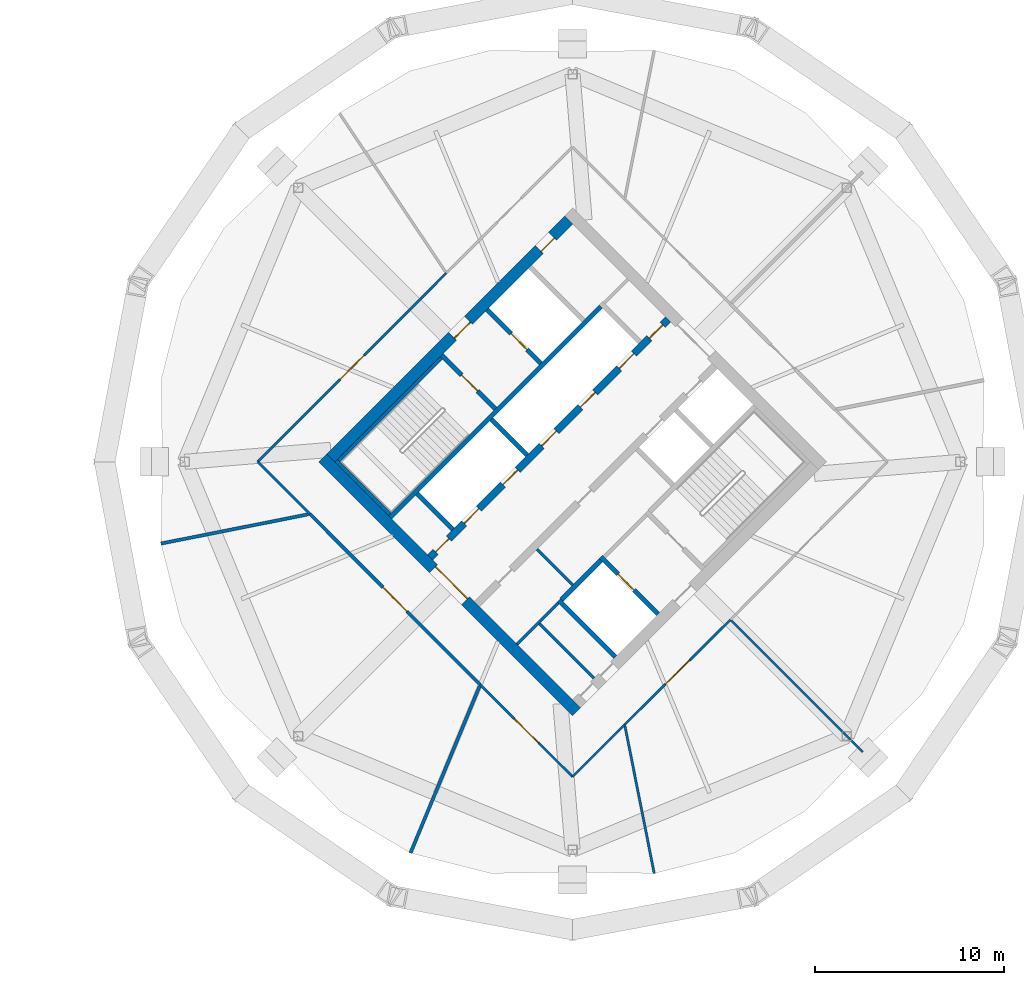
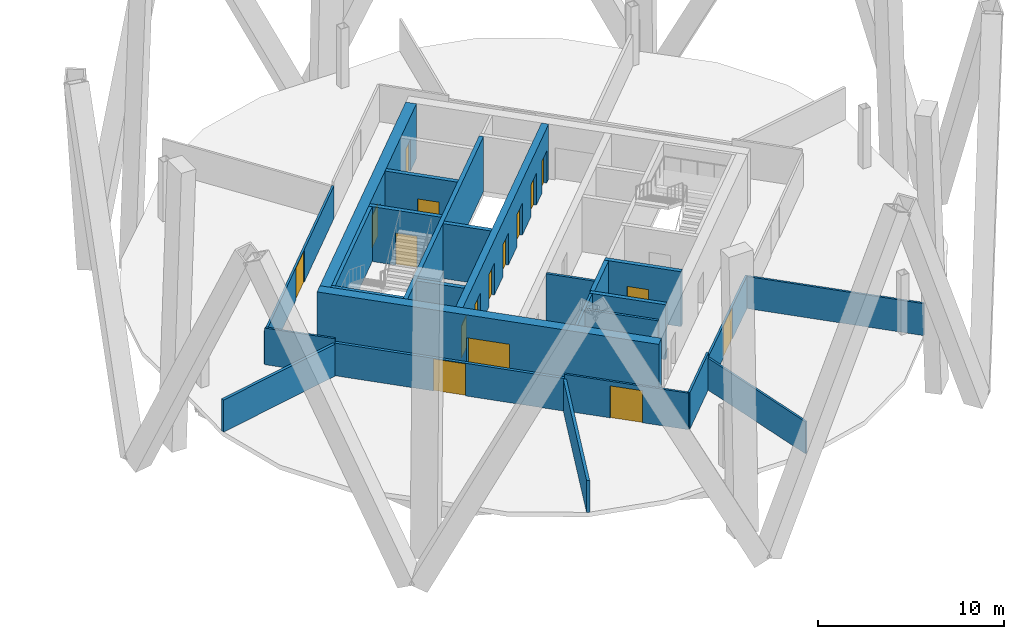
# One storey, part 6 of 10: 26 walls, 17 doors, 17 openings.
"""IFC4 building model written with IfcOpenShell, lengths in metres."""

from ifc_helpers import new_model, si_unit, direction, frame, frame_2d, origin, place, context, subcontext, project, spatial, rectangle, extrude, material, layer, layer_set, type_object, element, fill, save


model = new_model("IFC4")

# Units and contexts
model_context = context("Model", 3, precision=1e-05, world=origin(), true_north=direction((0.0, 1.0)))
body_context = subcontext(model_context, "Body", "Model", "MODEL_VIEW")
ifc_project = project(units=[si_unit("LENGTHUNIT", "METRE"), si_unit("AREAUNIT", "SQUARE_METRE"), si_unit("VOLUMEUNIT", "CUBIC_METRE"), si_unit("PLANEANGLEUNIT", "RADIAN"), si_unit("MASSUNIT", "GRAM", prefix="KILO")], contexts=[model_context])

# Site, building, storey
site_placement = place(None, origin())
site = spatial("IfcSite", under=ifc_project, at=site_placement, CompositionType="ELEMENT")
building_placement = place(site_placement, origin())
building = spatial("IfcBuilding", under=site, at=building_placement, Name="Ogive Gate Towers", CompositionType="ELEMENT")
storey_placement = place(building_placement, frame((0.0, 0.0, 185.10009765625)))
storey = spatial("IfcBuildingStorey", under=building, at=storey_placement, Name="L44", CompositionType="ELEMENT", Elevation=185.10009765625)

# Walls
ifc_material_1 = material(Name="Gypsum board acoustic partition")
ifc_layer_1 = layer(ifc_material_1, 0.175048828125)
ifc_layer_set_1 = layer_set([ifc_layer_1], Name="Acoustic partition 175")
wall_type_1 = type_object("IfcWallType", Name="Acoustic partition 175", PredefinedType="PARTITIONING", material=ifc_layer_set_1)
wall_1_placement = place(storey_placement, frame((14.215576171875, -4.324951171875, 0.0), z_axis=(0.0, 0.0, 1.0), x_axis=(0.980858380129, 0.19472246437, 0.0)))
element("IfcWall", 1, at=wall_1_placement, inside=storey, type_object=wall_type_1, Name="Partition T2-L44-005", PredefinedType="PARTITIONING", context=body_context, shape_type="SweptSolid", body=[
    extrude(rectangle(XDim=7.951416015625, YDim=0.175048828125, at=frame_2d((3.9755859375, 0.0))), origin(), (0.0, 0.0, 1.0), 2.099853515625),
])
wall_2_placement = place(storey_placement, frame((27.424072265625, -20.7041015625, 0.0), z_axis=(0.0, 0.0, 1.0), x_axis=(0.38267612342, 0.923882559942, 0.0)))
element("IfcWall", 2, at=wall_2_placement, inside=storey, type_object=wall_type_1, Name="Partition T2-L44-006", PredefinedType="PARTITIONING", context=body_context, shape_type="SweptSolid", body=[
    extrude(rectangle(XDim=9.55126953125, YDim=0.175048828125, at=frame_2d((4.775634765625, 0.0))), origin(), (0.0, 0.0, 1.0), 2.099853515625),
])

# Wall, opening, door
wall_3_placement = place(storey_placement, frame((22.1005859375, -2.759521484375, 0.0), z_axis=(0.0, 0.0, 1.0), x_axis=(0.706044450355, -0.708167518405, 0.0)))
wall_3 = element("IfcWall", 3, at=wall_3_placement, inside=storey, type_object=wall_type_1, Name="Partition T2-L44-014", PredefinedType="PARTITIONING", context=body_context, shape_type="SweptSolid", body=[
    extrude(rectangle(XDim=12.764404296875, YDim=0.175048828125, at=frame_2d((6.38232421875, 0.0))), origin(), (0.0, 0.0, 1.0), 2.139892578125),
])
opening_1_placement = place(wall_3_placement, frame((5.48193359375, 0.0, 0.0)))
opening_1 = element("IfcOpeningElement", 4, at=opening_1_placement, cuts=wall_3, Name="Opening T2-L44-D04", PredefinedType="OPENING", context=body_context, shape_type="SweptSolid", body=[
    extrude(rectangle(XDim=1.800048828125, YDim=2.10009765625, at=frame_2d((0.89990234375, 1.050048828125))), frame((0.0, 0.09765625, 0.0), z_axis=(0.0, -1.0, 0.0), x_axis=(1.0, 0.0, 0.0)), (0.0, 0.0, 1.0), 0.195068359375),
])
ifc_material_2 = material(Name="Timber door", Category="wood")
door_type_1 = type_object("IfcDoorType", Name="Door pair 1800", OperationType="NOTDEFINED", PredefinedType="DOOR", material=ifc_material_2)
door_1_placement = place(opening_1_placement, origin())
door_1 = element("IfcDoor", 5, at=door_1_placement, inside=storey, type_object=door_type_1, Name="Door T2-L44-D04", OperationType="DOUBLE_DOOR_DOUBLE_SWING", OverallHeight=2.10009765625, OverallWidth=1.800048828125, PredefinedType="DOOR", context=body_context, shape_type="SweptSolid", body=[
    extrude(rectangle(XDim=1.800048828125, YDim=2.10009765625, at=frame_2d((0.89990234375, 1.050048828125))), frame((0.0, 0.02490234375, 0.0), z_axis=(0.0, -1.0, 0.0), x_axis=(1.0, 0.0, 0.0)), (0.0, 0.0, 1.0), 0.050048828125),
])
fill(opening_1, door_1)

# Wall, openings, doors
ifc_material_3 = material(Name="Concrete C60/75", Category="concrete")
ifc_layer_2 = layer(ifc_material_3, 0.60009765625)
ifc_layer_set_2 = layer_set([ifc_layer_2], Name="Core wall 600 mm")
wall_type_2 = type_object("IfcWallType", Name="Core wall 600 mm", PredefinedType="SHEAR", material=ifc_layer_set_2)
wall_4_placement = place(storey_placement, frame((23.201416015625, 0.212158203125, 0.0), z_axis=(0.0, 0.0, 1.0), x_axis=(0.707106781187, 0.707106781187, 0.0)))
wall_4 = element("IfcWall", 6, at=wall_4_placement, inside=storey, type_object=wall_type_2, Name="T2 L44 Core wall 600 mm", PredefinedType="SHEAR", context=body_context, shape_type="SweptSolid", body=[
    extrude(rectangle(XDim=17.7998046875, YDim=0.60009765625, at=frame_2d((8.89990234375, 0.0))), origin(), (0.0, 0.0, 1.0), 3.599853515625),
])
opening_2_placement = place(wall_4_placement, frame((9.10009765625, 0.0, 0.0)))
opening_2 = element("IfcOpeningElement", 7, at=opening_2_placement, cuts=wall_4, Name="Opening KD-T2-L44-18", PredefinedType="OPENING", context=body_context, shape_type="SweptSolid", body=[
    extrude(rectangle(XDim=1.199951171875, YDim=2.10009765625, at=frame_2d((0.60009765625, 1.050048828125))), frame((0.0, 0.31005859375, 0.0), z_axis=(0.0, -1.0, 0.0), x_axis=(1.0, 0.0, 0.0)), (0.0, 0.0, 1.0), 0.6201171875),
])
opening_3_placement = place(wall_4_placement, frame((15.60009765625, 0.0, 0.0)))
opening_3 = element("IfcOpeningElement", 8, at=opening_3_placement, cuts=wall_4, Name="Opening KD-T2-L44-20", PredefinedType="OPENING", context=body_context, shape_type="SweptSolid", body=[
    extrude(rectangle(XDim=1.0, YDim=2.10009765625, at=frame_2d((0.5, 1.050048828125))), frame((0.0, 0.31005859375, 0.0), z_axis=(0.0, -1.0, 0.0), x_axis=(1.0, 0.0, 0.0)), (0.0, 0.0, 1.0), 0.6201171875),
])
door_type_2 = type_object("IfcDoorType", Name="Accessible WC door 1000 x 2100", OperationType="NOTDEFINED", PredefinedType="DOOR", material=ifc_material_2)
door_2_placement = place(opening_3_placement, origin())
door_2 = element("IfcDoor", 9, at=door_2_placement, inside=storey, type_object=door_type_2, Name="T2 L44 Core door", OperationType="SINGLE_SWING_LEFT", OverallHeight=2.10009765625, OverallWidth=1.0, PredefinedType="DOOR", context=body_context, shape_type="SweptSolid", body=[
    extrude(rectangle(XDim=1.0, YDim=2.10009765625, at=frame_2d((0.5, 1.050048828125))), frame((0.0, -0.125, 0.0), z_axis=(0.0, -1.0, 0.0), x_axis=(1.0, 0.0, 0.0)), (0.0, 0.0, 1.0), 0.050048828125),
])
fill(opening_3, door_2)
ifc_material_4 = material(Name="Steel fire door", Category="steel")
door_type_3 = type_object("IfcDoorType", Name="Core door FD60S 1200 x 2100", OperationType="NOTDEFINED", PredefinedType="DOOR", material=ifc_material_4)
door_3_placement = place(opening_2_placement, origin())
door_3 = element("IfcDoor", 10, at=door_3_placement, inside=storey, type_object=door_type_3, Name="T2 L44 Fire-fighting lobby door", OperationType="SINGLE_SWING_LEFT", OverallHeight=2.10009765625, OverallWidth=1.199951171875, PredefinedType="DOOR", context=body_context, shape_type="SweptSolid", body=[
    extrude(rectangle(XDim=1.199951171875, YDim=2.10009765625, at=frame_2d((0.60009765625, 1.050048828125))), frame((0.0, -0.125, 0.0), z_axis=(0.0, -1.0, 0.0), x_axis=(1.0, 0.0, 0.0)), (0.0, 0.0, 1.0), 0.050048828125),
])
fill(opening_2, door_3)

# Wall, opening, door
wall_5_placement = place(storey_placement, frame((36.212158203125, -13.222900390625, 0.0), z_axis=(0.0, 0.0, 1.0), x_axis=(-0.707106781187, 0.707106781187, 0.0)))
wall_5 = element("IfcWall", 11, at=wall_5_placement, inside=storey, type_object=wall_type_2, Name="T2 L44 Core wall 600 mm", PredefinedType="SHEAR", context=body_context, shape_type="SweptSolid", body=[
    extrude(rectangle(XDim=19.0, YDim=0.60009765625, at=frame_2d((9.5, 0.0))), origin(), (0.0, 0.0, 1.0), 3.599853515625),
])
opening_4_placement = place(wall_5_placement, frame((8.300048828125, 0.0, 0.0)))
opening_4 = element("IfcOpeningElement", 12, at=opening_4_placement, cuts=wall_5, Name="Opening KD-T2-L44-01", PredefinedType="OPENING", context=body_context, shape_type="SweptSolid", body=[
    extrude(rectangle(XDim=2.39990234375, YDim=2.10009765625, at=frame_2d((1.199951171875, 1.050048828125))), frame((0.0, 0.31005859375, 0.0), z_axis=(0.0, -1.0, 0.0), x_axis=(1.0, 0.0, 0.0)), (0.0, 0.0, 1.0), 0.6201171875),
])
door_type_4 = type_object("IfcDoorType", Name="Core double door FD60S 2400 x 2100", OperationType="DOUBLE_DOOR_SINGLE_SWING", PredefinedType="DOOR", material=ifc_material_4)
door_4_placement = place(opening_4_placement, origin())
door_4 = element("IfcDoor", 13, at=door_4_placement, inside=storey, type_object=door_type_4, Name="T2 L44 Core door double", OperationType="DOUBLE_DOOR_SINGLE_SWING", OverallHeight=2.10009765625, OverallWidth=2.39990234375, PredefinedType="DOOR", context=body_context, shape_type="SweptSolid", body=[
    extrude(rectangle(XDim=2.39990234375, YDim=2.10009765625, at=frame_2d((1.199951171875, 1.050048828125))), frame((0.0, -0.125, 0.0), z_axis=(0.0, -1.0, 0.0), x_axis=(1.0, 0.0, 0.0)), (0.0, 0.0, 1.0), 0.050048828125),
])
fill(opening_4, door_4)

# Walls
ifc_material_5 = material(Name="Gypsum board partition")
ifc_layer_3 = layer(ifc_material_5, 0.125)
ifc_layer_set_3 = layer_set([ifc_layer_3], Name="Partition 125")
wall_type_3 = type_object("IfcWallType", Name="Partition 125", PredefinedType="PARTITIONING", material=ifc_layer_set_3)
wall_6_placement = place(storey_placement, frame((40.324951171875, -21.784423828125, 0.0), z_axis=(0.0, 0.0, 1.0), x_axis=(-0.194756262112, 0.980851669911, 0.0)))
element("IfcWall", 14, at=wall_6_placement, inside=storey, type_object=wall_type_3, Name="Partition T2-L44-007", PredefinedType="PARTITIONING", context=body_context, shape_type="SweptSolid", body=[
    extrude(rectangle(XDim=7.9765625, YDim=0.125, at=frame_2d((3.98828125, 0.0))), origin(), (0.0, 0.0, 1.0), 2.099853515625),
])
wall_7_placement = place(storey_placement, frame((51.3505859375, -15.3505859375, 0.0), z_axis=(0.0, 0.0, 1.0), x_axis=(-0.707106781187, 0.707106781187, 0.0)))
element("IfcWall", 15, at=wall_7_placement, inside=storey, type_object=wall_type_3, Name="Partition T2-L44-008", PredefinedType="PARTITIONING", context=body_context, shape_type="SweptSolid", body=[
    extrude(rectangle(XDim=9.82666015625, YDim=0.125, at=frame_2d((4.913330078125, 0.0))), origin(), (0.0, 0.0, 1.0), 2.099853515625),
])

# Wall, opening, door
wall_8_placement = place(storey_placement, frame((29.318115234375, 9.9921875, 0.0), z_axis=(0.0, 0.0, 1.0), x_axis=(-0.706587905496, -0.707625276405, 0.0)))
wall_8 = element("IfcWall", 16, at=wall_8_placement, inside=storey, type_object=wall_type_3, Name="Partition T2-L44-012", PredefinedType="PARTITIONING", context=body_context, shape_type="SweptSolid", body=[
    extrude(rectangle(XDim=14.120849609375, YDim=0.125, at=frame_2d((7.060546875, 0.0))), origin(), (0.0, 0.0, 1.0), 2.139892578125),
])
opening_5_placement = place(wall_8_placement, frame((6.159912109375, 0.0, 0.0)))
opening_5 = element("IfcOpeningElement", 17, at=opening_5_placement, cuts=wall_8, Name="Opening T2-L44-D03", PredefinedType="OPENING", context=body_context, shape_type="SweptSolid", body=[
    extrude(rectangle(XDim=1.800048828125, YDim=2.10009765625, at=frame_2d((0.89990234375, 1.050048828125))), frame((0.0, 0.072509765625, 0.0), z_axis=(0.0, -1.0, 0.0), x_axis=(1.0, 0.0, 0.0)), (0.0, 0.0, 1.0), 0.14501953125),
])
door_5_placement = place(opening_5_placement, origin())
door_5 = element("IfcDoor", 18, at=door_5_placement, inside=storey, type_object=door_type_1, Name="Door T2-L44-D03", OperationType="DOUBLE_DOOR_DOUBLE_SWING", OverallHeight=2.10009765625, OverallWidth=1.800048828125, PredefinedType="DOOR", context=body_context, shape_type="SweptSolid", body=[
    extrude(rectangle(XDim=1.800048828125, YDim=2.10009765625, at=frame_2d((0.89990234375, 1.050048828125))), frame((0.0, 0.02490234375, 0.0), z_axis=(0.0, -1.0, 0.0), x_axis=(1.0, 0.0, 0.0)), (0.0, 0.0, 1.0), 0.050048828125),
])
fill(opening_5, door_5)

# Wall
wall_9_placement = place(storey_placement, frame((19.340576171875, 0.0, 0.0), z_axis=(0.0, 0.0, 1.0), x_axis=(0.707169332098, -0.707044224741, 0.0)))
element("IfcWall", 19, at=wall_9_placement, inside=storey, type_object=wall_type_3, Name="Partition T2-L44-013", PredefinedType="PARTITIONING", context=body_context, shape_type="SweptSolid", body=[
    extrude(rectangle(XDim=3.90283203125, YDim=0.125, at=frame_2d((1.951416015625, 0.0))), origin(), (0.0, 0.0, 1.0), 2.39990234375),
])

# Wall, opening, door
wall_10_placement = place(storey_placement, frame((31.11279296875, -11.798828125, 0.0), z_axis=(0.0, 0.0, 1.0), x_axis=(0.709034527983, -0.705173764492, 0.0)))
wall_10 = element("IfcWall", 20, at=wall_10_placement, inside=storey, type_object=wall_type_3, Name="Partition T2-L44-015", PredefinedType="PARTITIONING", context=body_context, shape_type="SweptSolid", body=[
    extrude(rectangle(XDim=6.892822265625, YDim=0.125, at=frame_2d((3.4462890625, 0.0))), origin(), (0.0, 0.0, 1.0), 2.39990234375),
])
opening_6_placement = place(wall_10_placement, frame((2.5458984375, 0.0, 0.0)))
opening_6 = element("IfcOpeningElement", 21, at=opening_6_placement, cuts=wall_10, Name="Opening T2-L44-D05", PredefinedType="OPENING", context=body_context, shape_type="SweptSolid", body=[
    extrude(rectangle(XDim=1.800048828125, YDim=2.10009765625, at=frame_2d((0.89990234375, 1.050048828125))), frame((0.0, 0.072509765625, 0.0), z_axis=(0.0, -1.0, 0.0), x_axis=(1.0, 0.0, 0.0)), (0.0, 0.0, 1.0), 0.14501953125),
])
door_6_placement = place(opening_6_placement, origin())
door_6 = element("IfcDoor", 22, at=door_6_placement, inside=storey, type_object=door_type_1, Name="Door T2-L44-D05", OperationType="DOUBLE_DOOR_DOUBLE_SWING", OverallHeight=2.10009765625, OverallWidth=1.800048828125, PredefinedType="DOOR", context=body_context, shape_type="SweptSolid", body=[
    extrude(rectangle(XDim=1.800048828125, YDim=2.10009765625, at=frame_2d((0.89990234375, 1.050048828125))), frame((0.0, 0.02490234375, 0.0), z_axis=(0.0, -1.0, 0.0), x_axis=(1.0, 0.0, 0.0)), (0.0, 0.0, 1.0), 0.050048828125),
])
fill(opening_6, door_6)

# Wall
wall_11_placement = place(storey_placement, frame((36.0, -16.659423828125, 0.0), z_axis=(0.0, 0.0, 1.0), x_axis=(0.707044224741, 0.707169332098, 0.0)))
element("IfcWall", 23, at=wall_11_placement, inside=storey, type_object=wall_type_3, Name="Partition T2-L44-016", PredefinedType="PARTITIONING", context=body_context, shape_type="SweptSolid", body=[
    extrude(rectangle(XDim=3.90283203125, YDim=0.125, at=frame_2d((1.951416015625, 0.0))), origin(), (0.0, 0.0, 1.0), 2.39990234375),
])

# Wall, opening, door
wall_12_placement = place(storey_placement, frame((38.759521484375, -13.8994140625, 0.0), z_axis=(0.0, 0.0, 1.0), x_axis=(0.710708286488, 0.703486838198, 0.0)))
wall_12 = element("IfcWall", 24, at=wall_12_placement, inside=storey, type_object=wall_type_3, Name="Partition T2-L44-017", PredefinedType="PARTITIONING", context=body_context, shape_type="SweptSolid", body=[
    extrude(rectangle(XDim=7.877197265625, YDim=0.125, at=frame_2d((3.9384765625, 0.0))), origin(), (0.0, 0.0, 1.0), 2.139892578125),
])
opening_7_placement = place(wall_12_placement, frame((3.0390625, 0.0, 0.0)))
opening_7 = element("IfcOpeningElement", 25, at=opening_7_placement, cuts=wall_12, Name="Opening T2-L44-D06", PredefinedType="OPENING", context=body_context, shape_type="SweptSolid", body=[
    extrude(rectangle(XDim=1.800048828125, YDim=2.10009765625, at=frame_2d((0.89990234375, 1.050048828125))), frame((0.0, 0.072509765625, 0.0), z_axis=(0.0, -1.0, 0.0), x_axis=(1.0, 0.0, 0.0)), (0.0, 0.0, 1.0), 0.14501953125),
])
door_7_placement = place(opening_7_placement, origin())
door_7 = element("IfcDoor", 26, at=door_7_placement, inside=storey, type_object=door_type_1, Name="Door T2-L44-D06", OperationType="DOUBLE_DOOR_DOUBLE_SWING", OverallHeight=2.10009765625, OverallWidth=1.800048828125, PredefinedType="DOOR", context=body_context, shape_type="SweptSolid", body=[
    extrude(rectangle(XDim=1.800048828125, YDim=2.10009765625, at=frame_2d((0.89990234375, 1.050048828125))), frame((0.0, 0.02490234375, 0.0), z_axis=(0.0, -1.0, 0.0), x_axis=(1.0, 0.0, 0.0)), (0.0, 0.0, 1.0), 0.050048828125),
])
fill(opening_7, door_7)

# Walls
ifc_layer_4 = layer(ifc_material_5, 0.14990234375)
ifc_layer_set_4 = layer_set([ifc_layer_4], Name="Room partition 150 mm")
wall_type_4 = type_object("IfcWallType", Name="Room partition 150 mm", PredefinedType="PARTITIONING", material=ifc_layer_set_4)
wall_13_placement = place(storey_placement, frame((33.0654296875, -9.652099609375, 0.0), z_axis=(0.0, 0.0, 1.0), x_axis=(0.707146476181, 0.707067083964, 0.0)))
element("IfcWall", 27, at=wall_13_placement, inside=storey, type_object=wall_type_4, Name="T2 L44 Room partition 150 mm", PredefinedType="PARTITIONING", context=body_context, shape_type="SweptSolid", body=[
    extrude(rectangle(XDim=3.0751953125, YDim=0.14990234375, at=frame_2d((1.53759765625, 0.0))), origin(), (0.0, 0.0, 1.0), 3.599853515625),
])
wall_14_placement = place(storey_placement, frame((37.13134765625, -11.455078125, 0.0), z_axis=(0.0, 0.0, 1.0), x_axis=(-0.707106781187, 0.707106781187, 0.0)))
element("IfcWall", 28, at=wall_14_placement, inside=storey, type_object=wall_type_4, Name="T2 L44 Room partition 150 mm", PredefinedType="PARTITIONING", context=body_context, shape_type="SweptSolid", body=[
    extrude(rectangle(XDim=4.074951171875, YDim=0.14990234375, at=frame_2d((2.03759765625, 0.0))), origin(), (0.0, 0.0, 1.0), 3.599853515625),
])
wall_15_placement = place(storey_placement, frame((36.017578125, -6.523193359375, 0.0), z_axis=(0.0, 0.0, 1.0), x_axis=(-0.707061145201, 0.707152414227, 0.0)))
element("IfcWall", 29, at=wall_15_placement, inside=storey, type_object=wall_type_4, Name="T2 L44 Room partition 150 mm", PredefinedType="PARTITIONING", context=body_context, shape_type="SweptSolid", body=[
    extrude(rectangle(XDim=2.675048828125, YDim=0.14990234375, at=frame_2d((1.33740234375, 0.0))), origin(), (0.0, 0.0, 1.0), 3.599853515625),
])
ifc_layer_5 = layer(ifc_material_3, 0.25)
ifc_layer_set_5 = layer_set([ifc_layer_5], Name="Shaft wall 250 mm")
wall_type_5 = type_object("IfcWallType", Name="Shaft wall 250 mm", PredefinedType="SHEAR", material=ifc_layer_set_5)
wall_16_placement = place(storey_placement, frame((35.41650390625, -7.30078125, 0.0), z_axis=(0.0, 0.0, 1.0), x_axis=(0.707148157867, 0.707065402085, 0.0)))
element("IfcWall", 30, at=wall_16_placement, inside=storey, type_object=wall_type_5, Name="T2 L44 Shaft wall 250 mm", PredefinedType="SHEAR", context=body_context, shape_type="SweptSolid", body=[
    extrude(rectangle(XDim=2.9501953125, YDim=0.25, at=frame_2d((1.47509765625, 0.0))), origin(), (0.0, 0.0, 1.0), 3.599853515625),
])
wall_17_placement = place(storey_placement, frame((26.347900390625, -2.9345703125, 0.0), z_axis=(0.0, 0.0, 1.0), x_axis=(0.707106781187, 0.707106781187, 0.0)))
element("IfcWall", 31, at=wall_17_placement, inside=storey, type_object=wall_type_5, Name="T2 L44 Shaft wall 250 mm", PredefinedType="SHEAR", context=body_context, shape_type="SweptSolid", body=[
    extrude(rectangle(XDim=15.775146484375, YDim=0.25, at=frame_2d((7.8876953125, 0.0))), origin(), (0.0, 0.0, 1.0), 3.599853515625),
])
wall_18_placement = place(storey_placement, frame((29.67138671875, -3.57080078125, 0.0), z_axis=(0.0, 0.0, 1.0), x_axis=(-0.707152414227, 0.707061145201, 0.0)))
element("IfcWall", 32, at=wall_18_placement, inside=storey, type_object=wall_type_5, Name="T2 L44 Shaft wall 250 mm", PredefinedType="SHEAR", context=body_context, shape_type="SweptSolid", body=[
    extrude(rectangle(XDim=2.675048828125, YDim=0.25, at=frame_2d((1.33740234375, 0.0))), origin(), (0.0, 0.0, 1.0), 3.599853515625),
])
wall_19_placement = place(storey_placement, frame((38.2626953125, -10.32373046875, 0.0), z_axis=(0.0, 0.0, 1.0), x_axis=(-0.707106781187, 0.707106781187, 0.0)))
element("IfcWall", 33, at=wall_19_placement, inside=storey, type_object=wall_type_5, Name="T2 L44 Shaft wall 250 mm", PredefinedType="SHEAR", context=body_context, shape_type="SweptSolid", body=[
    extrude(rectangle(XDim=4.22509765625, YDim=0.25, at=frame_2d((2.112548828125, 0.0))), origin(), (0.0, 0.0, 1.0), 3.599853515625),
])

# Wall, opening, door
wall_20_placement = place(storey_placement, frame((40.525390625, -8.06103515625, 0.0), z_axis=(0.0, 0.0, 1.0), x_axis=(-0.707078225638, 0.707135335582, 0.0)))
wall_20 = element("IfcWall", 34, at=wall_20_placement, inside=storey, type_object=wall_type_5, Name="T2 L44 Shaft wall 250 mm", PredefinedType="SHEAR", context=body_context, shape_type="SweptSolid", body=[
    extrude(rectangle(XDim=4.27490234375, YDim=0.25, at=frame_2d((2.137451171875, 0.0))), origin(), (0.0, 0.0, 1.0), 3.599853515625),
])
opening_8_placement = place(wall_20_placement, frame((1.800048828125, 0.0, 0.0)))
opening_8 = element("IfcOpeningElement", 35, at=opening_8_placement, cuts=wall_20, Name="Opening LD-T2-L44-13", PredefinedType="OPENING", context=body_context, shape_type="SweptSolid", body=[
    extrude(rectangle(XDim=1.199951171875, YDim=2.10009765625, at=frame_2d((0.60009765625, 1.050048828125))), frame((0.0, 0.135009765625, 0.0), z_axis=(0.0, -1.0, 0.0), x_axis=(1.0, 0.0, 0.0)), (0.0, 0.0, 1.0), 0.27001953125),
])
ifc_material_6 = material(Name="Stainless steel landing door", Category="steel")
door_type_5 = type_object("IfcDoorType", Name="Landing door 1200 x 2100", OperationType="SLIDING_TO_LEFT", PredefinedType="DOOR", material=ifc_material_6)
door_8_placement = place(opening_8_placement, origin())
door_8 = element("IfcDoor", 36, at=door_8_placement, inside=storey, type_object=door_type_5, Name="T2 L44 Lift landing door FF2", OperationType="SLIDING_TO_LEFT", OverallHeight=2.10009765625, OverallWidth=1.199951171875, PredefinedType="DOOR", context=body_context, shape_type="SweptSolid", body=[
    extrude(rectangle(XDim=1.199951171875, YDim=2.10009765625, at=frame_2d((0.60009765625, 1.050048828125))), frame((0.0, 0.02490234375, 0.0), z_axis=(0.0, -1.0, 0.0), x_axis=(1.0, 0.0, 0.0)), (0.0, 0.0, 1.0), 0.050048828125),
])
fill(opening_8, door_8)

# Wall
wall_21_placement = place(storey_placement, frame((33.595703125, 0.353515625, 0.0), z_axis=(0.0, 0.0, 1.0), x_axis=(-0.707061145201, 0.707152414227, 0.0)))
element("IfcWall", 37, at=wall_21_placement, inside=storey, type_object=wall_type_5, Name="T2 L44 Shaft wall 250 mm", PredefinedType="SHEAR", context=body_context, shape_type="SweptSolid", body=[
    extrude(rectangle(XDim=2.675048828125, YDim=0.25, at=frame_2d((1.33740234375, 0.0))), origin(), (0.0, 0.0, 1.0), 3.599853515625),
])

# Wall, opening, door
wall_22_placement = place(storey_placement, frame((31.91650390625, 2.810791015625, 0.0), z_axis=(0.0, 0.0, 1.0), x_axis=(-0.707106781187, 0.707106781187, 0.0)))
wall_22 = element("IfcWall", 38, at=wall_22_placement, inside=storey, type_object=wall_type_5, Name="T2 L44 Shaft wall 250 mm", PredefinedType="SHEAR", context=body_context, shape_type="SweptSolid", body=[
    extrude(rectangle(XDim=4.025146484375, YDim=0.25, at=frame_2d((2.0126953125, 0.0))), origin(), (0.0, 0.0, 1.0), 3.599853515625),
])
opening_9_placement = place(wall_22_placement, frame((1.324951171875, 0.0, 0.0)))
opening_9 = element("IfcOpeningElement", 39, at=opening_9_placement, cuts=wall_22, Name="Opening KD-T2-L44-16", PredefinedType="OPENING", context=body_context, shape_type="SweptSolid", body=[
    extrude(rectangle(XDim=1.199951171875, YDim=2.10009765625, at=frame_2d((0.60009765625, 1.050048828125))), frame((0.0, 0.135009765625, 0.0), z_axis=(0.0, -1.0, 0.0), x_axis=(1.0, 0.0, 0.0)), (0.0, 0.0, 1.0), 0.27001953125),
])
door_9_placement = place(opening_9_placement, origin())
door_9 = element("IfcDoor", 40, at=door_9_placement, inside=storey, type_object=door_type_3, Name="T2 L44 Stair door", OperationType="SINGLE_SWING_LEFT", OverallHeight=2.10009765625, OverallWidth=1.199951171875, PredefinedType="DOOR", context=body_context, shape_type="SweptSolid", body=[
    extrude(rectangle(XDim=1.199951171875, YDim=2.10009765625, at=frame_2d((0.60009765625, 1.050048828125))), frame((0.0, 0.02490234375, 0.0), z_axis=(0.0, -1.0, 0.0), x_axis=(1.0, 0.0, 0.0)), (0.0, 0.0, 1.0), 0.050048828125),
])
fill(opening_9, door_9)

wall_23_placement = place(storey_placement, frame((34.320556640625, 5.21484375, 0.0), z_axis=(0.0, 0.0, 1.0), x_axis=(-0.70707645213, 0.707137108942, 0.0)))
wall_23 = element("IfcWall", 41, at=wall_23_placement, inside=storey, type_object=wall_type_5, Name="T2 L44 Shaft wall 250 mm", PredefinedType="SHEAR", context=body_context, shape_type="SweptSolid", body=[
    extrude(rectangle(XDim=4.02490234375, YDim=0.25, at=frame_2d((2.012451171875, 0.0))), origin(), (0.0, 0.0, 1.0), 3.599853515625),
])
opening_10_placement = place(wall_23_placement, frame((1.02490234375, 0.0, 0.0)))
opening_10 = element("IfcOpeningElement", 42, at=opening_10_placement, cuts=wall_23, Name="Opening LD-T2-L44-12", PredefinedType="OPENING", context=body_context, shape_type="SweptSolid", body=[
    extrude(rectangle(XDim=1.199951171875, YDim=2.10009765625, at=frame_2d((0.60009765625, 1.050048828125))), frame((0.0, 0.135009765625, 0.0), z_axis=(0.0, -1.0, 0.0), x_axis=(1.0, 0.0, 0.0)), (0.0, 0.0, 1.0), 0.27001953125),
])
door_10_placement = place(opening_10_placement, origin())
door_10 = element("IfcDoor", 43, at=door_10_placement, inside=storey, type_object=door_type_5, Name="T2 L44 Lift landing door FF1", OperationType="SLIDING_TO_LEFT", OverallHeight=2.10009765625, OverallWidth=1.199951171875, PredefinedType="DOOR", context=body_context, shape_type="SweptSolid", body=[
    extrude(rectangle(XDim=1.199951171875, YDim=2.10009765625, at=frame_2d((0.60009765625, 1.050048828125))), frame((0.0, 0.02490234375, 0.0), z_axis=(0.0, -1.0, 0.0), x_axis=(1.0, 0.0, 0.0)), (0.0, 0.0, 1.0), 0.050048828125),
])
fill(opening_10, door_10)

# Wall, openings, doors
ifc_layer_6 = layer(ifc_material_3, 0.39990234375)
ifc_layer_set_6 = layer_set([ifc_layer_6], Name="Spine wall 400 mm")
wall_type_6 = type_object("IfcWallType", Name="Spine wall 400 mm", PredefinedType="SHEAR", material=ifc_layer_set_6)
wall_24_placement = place(storey_placement, frame((28.46923828125, -5.055908203125, 0.0), z_axis=(0.0, 0.0, 1.0), x_axis=(0.707106781187, 0.707106781187, 0.0)))
wall_24 = element("IfcWall", 44, at=wall_24_placement, inside=storey, type_object=wall_type_6, Name="T2 L44 Spine wall 400 mm", PredefinedType="SHEAR", context=body_context, shape_type="SweptSolid", body=[
    extrude(rectangle(XDim=17.80029296875, YDim=0.39990234375, at=frame_2d((8.900146484375, 0.0))), origin(), (0.0, 0.0, 1.0), 3.599853515625),
])
opening_11_placement = place(wall_24_placement, frame((0.39990234375, 0.0, 0.0)))
opening_11 = element("IfcOpeningElement", 45, at=opening_11_placement, cuts=wall_24, Name="Opening KD-T2-L44-03", PredefinedType="OPENING", context=body_context, shape_type="SweptSolid", body=[
    extrude(rectangle(XDim=1.0, YDim=2.10009765625, at=frame_2d((0.5, 1.050048828125))), frame((0.0, 0.2099609375, 0.0), z_axis=(0.0, -1.0, 0.0), x_axis=(1.0, 0.0, 0.0)), (0.0, 0.0, 1.0), 0.419921875),
])
opening_12_placement = place(wall_24_placement, frame((2.550048828125, 0.0, 0.0)))
opening_12 = element("IfcOpeningElement", 46, at=opening_12_placement, cuts=wall_24, Name="Opening LD-T2-L44-04", PredefinedType="OPENING", context=body_context, shape_type="SweptSolid", body=[
    extrude(rectangle(XDim=1.10009765625, YDim=2.10009765625, at=frame_2d((0.550048828125, 1.050048828125))), frame((0.0, 0.2099609375, 0.0), z_axis=(0.0, -1.0, 0.0), x_axis=(1.0, 0.0, 0.0)), (0.0, 0.0, 1.0), 0.419921875),
])
opening_13_placement = place(wall_24_placement, frame((5.449951171875, 0.0, 0.0)))
opening_13 = element("IfcOpeningElement", 47, at=opening_13_placement, cuts=wall_24, Name="Opening LD-T2-L44-05", PredefinedType="OPENING", context=body_context, shape_type="SweptSolid", body=[
    extrude(rectangle(XDim=1.10009765625, YDim=2.10009765625, at=frame_2d((0.550048828125, 1.050048828125))), frame((0.0, 0.2099609375, 0.0), z_axis=(0.0, -1.0, 0.0), x_axis=(1.0, 0.0, 0.0)), (0.0, 0.0, 1.0), 0.419921875),
])
opening_14_placement = place(wall_24_placement, frame((8.35009765625, 0.0, 0.0)))
opening_14 = element("IfcOpeningElement", 48, at=opening_14_placement, cuts=wall_24, Name="Opening LD-T2-L44-06", PredefinedType="OPENING", context=body_context, shape_type="SweptSolid", body=[
    extrude(rectangle(XDim=1.10009765625, YDim=2.10009765625, at=frame_2d((0.550048828125, 1.050048828125))), frame((0.0, 0.2099609375, 0.0), z_axis=(0.0, -1.0, 0.0), x_axis=(1.0, 0.0, 0.0)), (0.0, 0.0, 1.0), 0.419921875),
])
opening_15_placement = place(wall_24_placement, frame((11.25, 0.0, 0.0)))
opening_15 = element("IfcOpeningElement", 49, at=opening_15_placement, cuts=wall_24, Name="Opening LD-T2-L44-07", PredefinedType="OPENING", context=body_context, shape_type="SweptSolid", body=[
    extrude(rectangle(XDim=1.10009765625, YDim=2.10009765625, at=frame_2d((0.550048828125, 1.050048828125))), frame((0.0, 0.2099609375, 0.0), z_axis=(0.0, -1.0, 0.0), x_axis=(1.0, 0.0, 0.0)), (0.0, 0.0, 1.0), 0.419921875),
])
opening_16_placement = place(wall_24_placement, frame((14.14990234375, 0.0, 0.0)))
opening_16 = element("IfcOpeningElement", 50, at=opening_16_placement, cuts=wall_24, Name="Opening LD-T2-L44-08", PredefinedType="OPENING", context=body_context, shape_type="SweptSolid", body=[
    extrude(rectangle(XDim=1.10009765625, YDim=2.10009765625, at=frame_2d((0.550048828125, 1.050048828125))), frame((0.0, 0.2099609375, 0.0), z_axis=(0.0, -1.0, 0.0), x_axis=(1.0, 0.0, 0.0)), (0.0, 0.0, 1.0), 0.419921875),
])
opening_17_placement = place(wall_24_placement, frame((16.39990234375, 0.0, 0.0)))
opening_17 = element("IfcOpeningElement", 51, at=opening_17_placement, cuts=wall_24, Name="Opening KD-T2-L44-09", PredefinedType="OPENING", context=body_context, shape_type="SweptSolid", body=[
    extrude(rectangle(XDim=1.0, YDim=2.10009765625, at=frame_2d((0.5, 1.050048828125))), frame((0.0, 0.2099609375, 0.0), z_axis=(0.0, -1.0, 0.0), x_axis=(1.0, 0.0, 0.0)), (0.0, 0.0, 1.0), 0.419921875),
])
door_type_6 = type_object("IfcDoorType", Name="Core door FD60S 1000 x 2100", OperationType="NOTDEFINED", PredefinedType="DOOR", material=ifc_material_4)
door_11_placement = place(opening_11_placement, origin())
door_11 = element("IfcDoor", 52, at=door_11_placement, inside=storey, type_object=door_type_6, Name="T2 L44 Core door", OperationType="SINGLE_SWING_RIGHT", OverallHeight=2.10009765625, OverallWidth=1.0, PredefinedType="DOOR", context=body_context, shape_type="SweptSolid", body=[
    extrude(rectangle(XDim=1.0, YDim=2.10009765625, at=frame_2d((0.5, 1.050048828125))), frame((0.0, 0.02490234375, 0.0), z_axis=(0.0, -1.0, 0.0), x_axis=(1.0, 0.0, 0.0)), (0.0, 0.0, 1.0), 0.050048828125),
])
fill(opening_11, door_11)
door_12_placement = place(opening_17_placement, origin())
door_12 = element("IfcDoor", 53, at=door_12_placement, inside=storey, type_object=door_type_6, Name="T2 L44 Core door", OperationType="SINGLE_SWING_RIGHT", OverallHeight=2.10009765625, OverallWidth=1.0, PredefinedType="DOOR", context=body_context, shape_type="SweptSolid", body=[
    extrude(rectangle(XDim=1.0, YDim=2.10009765625, at=frame_2d((0.5, 1.050048828125))), frame((0.0, 0.02490234375, 0.0), z_axis=(0.0, -1.0, 0.0), x_axis=(1.0, 0.0, 0.0)), (0.0, 0.0, 1.0), 0.050048828125),
])
fill(opening_17, door_12)
door_type_7 = type_object("IfcDoorType", Name="Landing door 1100 x 2100", OperationType="SLIDING_TO_LEFT", PredefinedType="DOOR", material=ifc_material_6)
door_13_placement = place(opening_12_placement, origin())
door_13 = element("IfcDoor", 54, at=door_13_placement, inside=storey, type_object=door_type_7, Name="T2 L44 Lift landing door B1", OperationType="SLIDING_TO_LEFT", OverallHeight=2.10009765625, OverallWidth=1.10009765625, PredefinedType="DOOR", context=body_context, shape_type="SweptSolid", body=[
    extrude(rectangle(XDim=1.10009765625, YDim=2.10009765625, at=frame_2d((0.550048828125, 1.050048828125))), frame((0.0, 0.02490234375, 0.0), z_axis=(0.0, -1.0, 0.0), x_axis=(1.0, 0.0, 0.0)), (0.0, 0.0, 1.0), 0.050048828125),
])
fill(opening_12, door_13)
door_14_placement = place(opening_13_placement, origin())
door_14 = element("IfcDoor", 55, at=door_14_placement, inside=storey, type_object=door_type_7, Name="T2 L44 Lift landing door B2", OperationType="SLIDING_TO_LEFT", OverallHeight=2.10009765625, OverallWidth=1.10009765625, PredefinedType="DOOR", context=body_context, shape_type="SweptSolid", body=[
    extrude(rectangle(XDim=1.10009765625, YDim=2.10009765625, at=frame_2d((0.550048828125, 1.050048828125))), frame((0.0, 0.02490234375, 0.0), z_axis=(0.0, -1.0, 0.0), x_axis=(1.0, 0.0, 0.0)), (0.0, 0.0, 1.0), 0.050048828125),
])
fill(opening_13, door_14)
door_15_placement = place(opening_14_placement, origin())
door_15 = element("IfcDoor", 56, at=door_15_placement, inside=storey, type_object=door_type_7, Name="T2 L44 Lift landing door B3", OperationType="SLIDING_TO_LEFT", OverallHeight=2.10009765625, OverallWidth=1.10009765625, PredefinedType="DOOR", context=body_context, shape_type="SweptSolid", body=[
    extrude(rectangle(XDim=1.10009765625, YDim=2.10009765625, at=frame_2d((0.550048828125, 1.050048828125))), frame((0.0, 0.02490234375, 0.0), z_axis=(0.0, -1.0, 0.0), x_axis=(1.0, 0.0, 0.0)), (0.0, 0.0, 1.0), 0.050048828125),
])
fill(opening_14, door_15)
door_16_placement = place(opening_15_placement, origin())
door_16 = element("IfcDoor", 57, at=door_16_placement, inside=storey, type_object=door_type_7, Name="T2 L44 Lift landing door B4", OperationType="SLIDING_TO_LEFT", OverallHeight=2.10009765625, OverallWidth=1.10009765625, PredefinedType="DOOR", context=body_context, shape_type="SweptSolid", body=[
    extrude(rectangle(XDim=1.10009765625, YDim=2.10009765625, at=frame_2d((0.550048828125, 1.050048828125))), frame((0.0, 0.02490234375, 0.0), z_axis=(0.0, -1.0, 0.0), x_axis=(1.0, 0.0, 0.0)), (0.0, 0.0, 1.0), 0.050048828125),
])
fill(opening_15, door_16)
door_17_placement = place(opening_16_placement, origin())
door_17 = element("IfcDoor", 58, at=door_17_placement, inside=storey, type_object=door_type_7, Name="T2 L44 Lift landing door B5", OperationType="SLIDING_TO_LEFT", OverallHeight=2.10009765625, OverallWidth=1.10009765625, PredefinedType="DOOR", context=body_context, shape_type="SweptSolid", body=[
    extrude(rectangle(XDim=1.10009765625, YDim=2.10009765625, at=frame_2d((0.550048828125, 1.050048828125))), frame((0.0, 0.02490234375, 0.0), z_axis=(0.0, -1.0, 0.0), x_axis=(1.0, 0.0, 0.0)), (0.0, 0.0, 1.0), 0.050048828125),
])
fill(opening_16, door_17)

# Walls
ifc_layer_7 = layer(ifc_material_3, 0.199951171875)
ifc_layer_set_7 = layer_set([ifc_layer_7], Name="Stair wall 200 mm")
wall_type_7 = type_object("IfcWallType", Name="Stair wall 200 mm", PredefinedType="SHEAR", material=ifc_layer_set_7)
wall_25_placement = place(storey_placement, frame((23.62548828125, 0.07080078125, 0.0), z_axis=(0.0, 0.0, 1.0), x_axis=(0.707122685701, 0.707090876314, 0.0)))
element("IfcWall", 59, at=wall_25_placement, inside=storey, type_object=wall_type_7, Name="T2 L44 Stair wall 200 mm", PredefinedType="SHEAR", context=body_context, shape_type="SweptSolid", body=[
    extrude(rectangle(XDim=7.675048828125, YDim=0.199951171875, at=frame_2d((3.83740234375, 0.0))), origin(), (0.0, 0.0, 1.0), 3.599853515625),
])
wall_26_placement = place(storey_placement, frame((26.330322265625, -2.775390625, 0.0), z_axis=(0.0, 0.0, 1.0), x_axis=(-0.707106781187, 0.707106781187, 0.0)))
element("IfcWall", 60, at=wall_26_placement, inside=storey, type_object=wall_type_7, Name="T2 L44 Stair wall 200 mm", PredefinedType="SHEAR", context=body_context, shape_type="SweptSolid", body=[
    extrude(rectangle(XDim=4.025146484375, YDim=0.199951171875, at=frame_2d((2.0126953125, 0.0))), origin(), (0.0, 0.0, 1.0), 3.599853515625),
])

save(model, "model.ifc")
